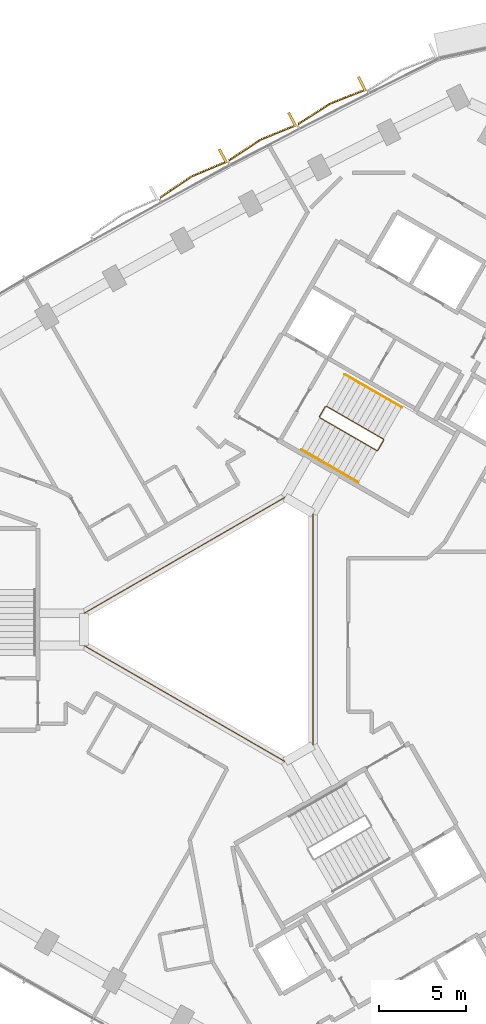
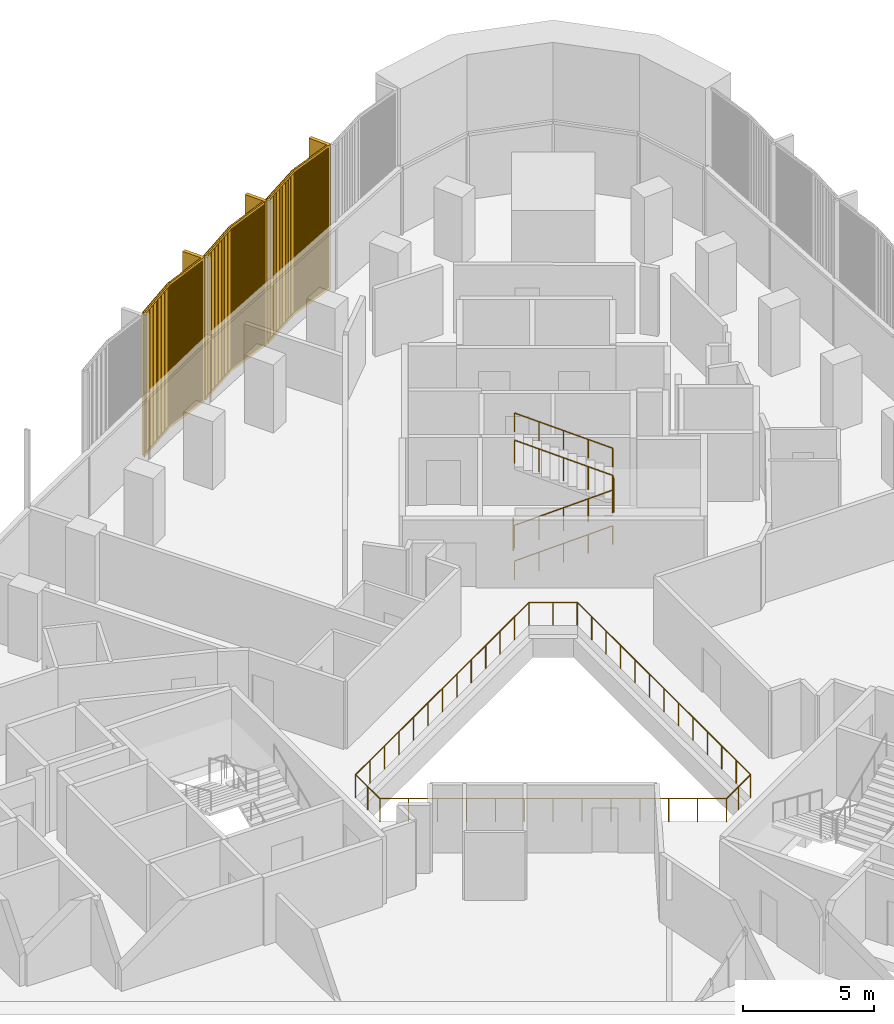
# One storey, part 14 of 15: 4 railings, 3 coverings.
"""IFC4 building model written with IfcOpenShell, lengths in metres."""

from ifc_helpers import new_model, si_unit, direction, frame, frame_2d, origin, origin_2d, place, context, subcontext, project, spatial, rectangle, circle, extrude, source, transform, mapped, material, type_object, element, save


model = new_model("IFC4")

# Units and contexts
model_context = context("Model", 3, precision=1e-05, world=origin(), true_north=direction((0.0, 1.0)))
body_context = subcontext(model_context, "Body", "Model", "MODEL_VIEW")
ifc_project = project(units=[si_unit("LENGTHUNIT", "METRE"), si_unit("AREAUNIT", "SQUARE_METRE"), si_unit("VOLUMEUNIT", "CUBIC_METRE"), si_unit("PLANEANGLEUNIT", "RADIAN"), si_unit("MASSUNIT", "GRAM", prefix="KILO")], contexts=[model_context])

# Site, building, storey
site_placement = place(None, origin())
site = spatial("IfcSite", under=ifc_project, at=site_placement, CompositionType="ELEMENT")
building_placement = place(site_placement, origin())
building = spatial("IfcBuilding", under=site, at=building_placement, Name="Tamra Quay Hotel Tower", CompositionType="ELEMENT")
storey_placement = place(building_placement, frame((0.0, 0.0, 101.0)))
storey = spatial("IfcBuildingStorey", under=building, at=storey_placement, Name="L24", CompositionType="ELEMENT", Elevation=101.0)

# Railings
ifc_material_1 = material(Name="Guard atrium edge 1100")
railing_type_1 = type_object("IfcRailingType", Name="Guard atrium edge 1100", PredefinedType="GUARDRAIL", material=ifc_material_1)
railing_1_placement = place(storey_placement, frame((4.89990234375, -6.639892578125, 0.0)))
element("IfcRailing", 1, at=railing_1_placement, inside=storey, type_object=railing_type_1, Name="G-A", PredefinedType="GUARDRAIL", context=body_context, shape_type="SweptSolid", body=[
    extrude(circle(Radius=0.02392578125, at=origin_2d()), frame((0.0, 0.0, 1.076171875), z_axis=(-0.866161379324, -0.499764409465, 0.0), x_axis=(0.499764409465, -0.866161379324, 0.0)), (0.0, 0.0, 1.0), 1.84716796875),
    extrude(circle(Radius=0.02392578125, at=origin_2d()), frame((-1.599853515625, -0.923095703125, 1.076171875), z_axis=(-0.866045362687, 0.499965428574, 0.0), x_axis=(-0.499965428574, -0.866045362687, 0.0)), (0.0, 0.0, 1.0), 13.27880859375),
    extrude(circle(Radius=0.02392578125, at=origin_2d()), frame((-13.099853515625, 5.7158203125, 1.076171875), z_axis=(0.0, 1.0, 0.0), x_axis=(-1.0, 0.0, 0.0)), (0.0, 0.0, 1.0), 1.84814453125),
    extrude(circle(Radius=0.02392578125, at=origin_2d()), frame((-13.099853515625, 7.56396484375, 1.076171875), z_axis=(0.866045362687, 0.499965428574, 0.0), x_axis=(-0.499965428574, 0.866045362687, 0.0)), (0.0, 0.0, 1.0), 13.27880859375),
    extrude(circle(Radius=0.02392578125, at=origin_2d()), frame((-1.599853515625, 14.202880859375, 1.076171875), z_axis=(0.866161379324, -0.499764409465, 0.0), x_axis=(0.499764409465, 0.866161379324, 0.0)), (0.0, 0.0, 1.0), 1.84716796875),
    extrude(circle(Radius=0.02392578125, at=origin_2d()), frame((0.0, 13.27978515625, 1.076171875), z_axis=(0.0, -1.0, 0.0), x_axis=(1.0, 0.0, 0.0)), (0.0, 0.0, 1.0), 13.27978515625),
    extrude(circle(Radius=0.02099609375, at=origin_2d()), origin(), (0.0, 0.0, 1.0), 1.052001953125),
    extrude(circle(Radius=0.02099609375, at=origin_2d()), frame((-0.7998046875, -0.46142578125, 0.0)), (0.0, 0.0, 1.0), 1.052001953125),
    extrude(circle(Radius=0.02099609375, at=origin_2d()), frame((-1.599853515625, -0.923095703125, 0.0)), (0.0, 0.0, 1.0), 1.052001953125),
    extrude(circle(Radius=0.02099609375, at=origin_2d()), frame((-2.55810546875, -0.369873046875, 0.0)), (0.0, 0.0, 1.0), 1.052001953125),
    extrude(circle(Radius=0.02099609375, at=origin_2d()), frame((-3.5166015625, 0.183349609375, 0.0)), (0.0, 0.0, 1.0), 1.052001953125),
    extrude(circle(Radius=0.02099609375, at=origin_2d()), frame((-4.474853515625, 0.736572265625, 0.0)), (0.0, 0.0, 1.0), 1.052001953125),
    extrude(circle(Radius=0.02099609375, at=origin_2d()), frame((-5.43310546875, 1.289794921875, 0.0)), (0.0, 0.0, 1.0), 1.052001953125),
    extrude(circle(Radius=0.02099609375, at=origin_2d()), frame((-6.3916015625, 1.843017578125, 0.0)), (0.0, 0.0, 1.0), 1.052001953125),
    extrude(circle(Radius=0.02099609375, at=origin_2d()), frame((-7.349853515625, 2.396484375, 0.0)), (0.0, 0.0, 1.0), 1.052001953125),
    extrude(circle(Radius=0.02099609375, at=origin_2d()), frame((-8.30810546875, 2.94970703125, 0.0)), (0.0, 0.0, 1.0), 1.052001953125),
    extrude(circle(Radius=0.02099609375, at=origin_2d()), frame((-9.2666015625, 3.5029296875, 0.0)), (0.0, 0.0, 1.0), 1.052001953125),
    extrude(circle(Radius=0.02099609375, at=origin_2d()), frame((-10.224853515625, 4.05615234375, 0.0)), (0.0, 0.0, 1.0), 1.052001953125),
    extrude(circle(Radius=0.02099609375, at=origin_2d()), frame((-11.18310546875, 4.609375, 0.0)), (0.0, 0.0, 1.0), 1.052001953125),
    extrude(circle(Radius=0.02099609375, at=origin_2d()), frame((-12.1416015625, 5.16259765625, 0.0)), (0.0, 0.0, 1.0), 1.052001953125),
    extrude(circle(Radius=0.02099609375, at=origin_2d()), frame((-13.099853515625, 5.7158203125, 0.0)), (0.0, 0.0, 1.0), 1.052001953125),
    extrude(circle(Radius=0.02099609375, at=origin_2d()), frame((-13.099853515625, 6.639892578125, 0.0)), (0.0, 0.0, 1.0), 1.052001953125),
    extrude(circle(Radius=0.02099609375, at=origin_2d()), frame((-13.099853515625, 7.56396484375, 0.0)), (0.0, 0.0, 1.0), 1.052001953125),
    extrude(circle(Radius=0.02099609375, at=origin_2d()), frame((-12.1416015625, 8.1171875, 0.0)), (0.0, 0.0, 1.0), 1.052001953125),
    extrude(circle(Radius=0.02099609375, at=origin_2d()), frame((-11.18310546875, 8.67041015625, 0.0)), (0.0, 0.0, 1.0), 1.052001953125),
    extrude(circle(Radius=0.02099609375, at=origin_2d()), frame((-10.224853515625, 9.2236328125, 0.0)), (0.0, 0.0, 1.0), 1.052001953125),
    extrude(circle(Radius=0.02099609375, at=origin_2d()), frame((-9.2666015625, 9.77685546875, 0.0)), (0.0, 0.0, 1.0), 1.052001953125),
    extrude(circle(Radius=0.02099609375, at=origin_2d()), frame((-8.30810546875, 10.330078125, 0.0)), (0.0, 0.0, 1.0), 1.052001953125),
    extrude(circle(Radius=0.02099609375, at=origin_2d()), frame((-7.349853515625, 10.88330078125, 0.0)), (0.0, 0.0, 1.0), 1.052001953125),
    extrude(circle(Radius=0.02099609375, at=origin_2d()), frame((-6.3916015625, 11.436767578125, 0.0)), (0.0, 0.0, 1.0), 1.052001953125),
    extrude(circle(Radius=0.02099609375, at=origin_2d()), frame((-5.43310546875, 11.989990234375, 0.0)), (0.0, 0.0, 1.0), 1.052001953125),
    extrude(circle(Radius=0.02099609375, at=origin_2d()), frame((-4.474853515625, 12.543212890625, 0.0)), (0.0, 0.0, 1.0), 1.052001953125),
    extrude(circle(Radius=0.02099609375, at=origin_2d()), frame((-3.5166015625, 13.096435546875, 0.0)), (0.0, 0.0, 1.0), 1.052001953125),
    extrude(circle(Radius=0.02099609375, at=origin_2d()), frame((-2.55810546875, 13.649658203125, 0.0)), (0.0, 0.0, 1.0), 1.052001953125),
    extrude(circle(Radius=0.02099609375, at=origin_2d()), frame((-1.599853515625, 14.202880859375, 0.0)), (0.0, 0.0, 1.0), 1.052001953125),
    extrude(circle(Radius=0.02099609375, at=origin_2d()), frame((-0.7998046875, 13.7412109375, 0.0)), (0.0, 0.0, 1.0), 1.052001953125),
    extrude(circle(Radius=0.02099609375, at=origin_2d()), frame((0.0, 13.27978515625, 0.0)), (0.0, 0.0, 1.0), 1.052001953125),
    extrude(circle(Radius=0.02099609375, at=origin_2d()), frame((0.0, 12.173095703125, 0.0)), (0.0, 0.0, 1.0), 1.052001953125),
    extrude(circle(Radius=0.02099609375, at=origin_2d()), frame((0.0, 11.06640625, 0.0)), (0.0, 0.0, 1.0), 1.052001953125),
    extrude(circle(Radius=0.02099609375, at=origin_2d()), frame((0.0, 9.9599609375, 0.0)), (0.0, 0.0, 1.0), 1.052001953125),
    extrude(circle(Radius=0.02099609375, at=origin_2d()), frame((0.0, 8.853271484375, 0.0)), (0.0, 0.0, 1.0), 1.052001953125),
    extrude(circle(Radius=0.02099609375, at=origin_2d()), frame((0.0, 7.74658203125, 0.0)), (0.0, 0.0, 1.0), 1.052001953125),
    extrude(circle(Radius=0.02099609375, at=origin_2d()), frame((0.0, 6.639892578125, 0.0)), (0.0, 0.0, 1.0), 1.052001953125),
    extrude(circle(Radius=0.02099609375, at=origin_2d()), frame((0.0, 5.533203125, 0.0)), (0.0, 0.0, 1.0), 1.052001953125),
    extrude(circle(Radius=0.02099609375, at=origin_2d()), frame((0.0, 4.426513671875, 0.0)), (0.0, 0.0, 1.0), 1.052001953125),
    extrude(circle(Radius=0.02099609375, at=origin_2d()), frame((0.0, 3.31982421875, 0.0)), (0.0, 0.0, 1.0), 1.052001953125),
    extrude(circle(Radius=0.02099609375, at=origin_2d()), frame((0.0, 2.21337890625, 0.0)), (0.0, 0.0, 1.0), 1.052001953125),
    extrude(circle(Radius=0.02099609375, at=origin_2d()), frame((0.0, 1.106689453125, 0.0)), (0.0, 0.0, 1.0), 1.052001953125),
])
ifc_material_2 = material(Name="Stair guard 1100")
railing_type_2 = type_object("IfcRailingType", Name="Stair guard 1100", PredefinedType="GUARDRAIL", material=ifc_material_2)
railing_2_placement = place(storey_placement, frame((5.595458984375, 12.751953125, 0.0)))
element("IfcRailing", 2, at=railing_2_placement, inside=storey, type_object=railing_type_2, Name="GR", PredefinedType="GUARDRAIL", context=body_context, shape_type="SweptSolid", body=[
    extrude(circle(Radius=0.02392578125, at=origin_2d()), frame((0.0, 0.0, 1.076171875), z_axis=(-0.499765215335, -0.866160914346, 0.0), x_axis=(0.866160914346, -0.499765215335, 0.0)), (0.0, 0.0, 1.0), 0.658935546875),
    extrude(circle(Radius=0.02392578125, at=origin_2d()), frame((-0.329345703125, -0.57080078125, 1.076171875), z_axis=(0.110525977783, -0.411156637351, 0.904839338113), x_axis=(0.965715946433, 0.259601060869, 0.0)), (0.0, 0.0, 1.0), 0.165771484375),
    extrude(circle(Radius=0.02392578125, at=origin_2d()), frame((-0.31103515625, -0.638916015625, 1.22607421875), z_axis=(0.79305953016, -0.457922937641, 0.401700342053), x_axis=(0.500040788363, 0.866001853331, 0.0)), (0.0, 0.0, 1.0), 4.10791015625),
    extrude(circle(Radius=0.02392578125, at=origin_2d()), frame((2.94677734375, -2.52001953125, 2.8759765625), z_axis=(0.965948051503, 0.258736085224, 0.0), x_axis=(-0.258736085224, 0.965948051503, 0.0)), (0.0, 0.0, 1.0), 0.07080078125),
    extrude(circle(Radius=0.02392578125, at=origin_2d()), frame((3.01513671875, -2.501708984375, 2.8759765625), z_axis=(0.500043078269, 0.866000531106, 0.0), x_axis=(-0.866000531106, 0.500043078269, 0.0)), (0.0, 0.0, 1.0), 0.6591796875),
    extrude(circle(Radius=0.02392578125, at=origin_2d()), frame((3.3447265625, -1.930908203125, 2.8759765625), z_axis=(-0.110525977783, 0.411156637351, 0.904839338113), x_axis=(-0.965715946433, -0.259601060869, 0.0)), (0.0, 0.0, 1.0), 0.165771484375),
    extrude(circle(Radius=0.02392578125, at=origin_2d()), frame((3.326416015625, -1.86279296875, 3.02587890625), z_axis=(-0.793081581205, 0.457901355053, 0.401681409319), x_axis=(-0.500012686397, -0.866018079166, 0.0)), (0.0, 0.0, 1.0), 4.108154296875),
    extrude(circle(Radius=0.02099609375, at=origin_2d()), origin(), (0.0, 0.0, 1.0), 1.052001953125),
    extrude(circle(Radius=0.02099609375, at=origin_2d()), frame((-0.329345703125, -0.57080078125, 0.0)), (0.0, 0.0, 1.0), 1.052001953125),
    extrude(circle(Radius=0.02099609375, at=origin_2d()), frame((-0.31103515625, -0.638916015625, 0.14990234375)), (0.0, 0.0, 1.0), 1.052001953125),
    extrude(circle(Radius=0.02099609375, at=origin_2d()), frame((0.50341796875, -1.109130859375, 0.5625)), (0.0, 0.0, 1.0), 1.052001953125),
    extrude(circle(Radius=0.02099609375, at=origin_2d()), frame((1.31787109375, -1.57958984375, 0.97509765625)), (0.0, 0.0, 1.0), 1.052001953125),
    extrude(circle(Radius=0.02099609375, at=origin_2d()), frame((2.13232421875, -2.0498046875, 1.387451171875)), (0.0, 0.0, 1.0), 1.052001953125),
    extrude(circle(Radius=0.02099609375, at=origin_2d()), frame((2.94677734375, -2.52001953125, 1.800048828125)), (0.0, 0.0, 1.0), 1.052001953125),
    extrude(circle(Radius=0.02099609375, at=origin_2d()), frame((3.01513671875, -2.501708984375, 1.800048828125)), (0.0, 0.0, 1.0), 1.052001953125),
    extrude(circle(Radius=0.02099609375, at=origin_2d()), frame((3.3447265625, -1.930908203125, 1.800048828125)), (0.0, 0.0, 1.0), 1.052001953125),
    extrude(circle(Radius=0.02099609375, at=origin_2d()), frame((3.326416015625, -1.86279296875, 1.949951171875)), (0.0, 0.0, 1.0), 1.052001953125),
    extrude(circle(Radius=0.02099609375, at=origin_2d()), frame((2.511962890625, -1.392578125, 2.362548828125)), (0.0, 0.0, 1.0), 1.052001953125),
    extrude(circle(Radius=0.02099609375, at=origin_2d()), frame((1.697265625, -0.92236328125, 2.77490234375)), (0.0, 0.0, 1.0), 1.052001953125),
    extrude(circle(Radius=0.02099609375, at=origin_2d()), frame((0.8828125, -0.451904296875, 3.1875)), (0.0, 0.0, 1.0), 1.052001953125),
    extrude(circle(Radius=0.02099609375, at=origin_2d()), frame((0.068359375, 0.018310546875, 3.60009765625)), (0.0, 0.0, 1.0), 1.052001953125),
])
ifc_material_3 = material(Name="Stair handrail 900")
railing_type_3 = type_object("IfcRailingType", Name="Stair handrail 900", PredefinedType="HANDRAIL", material=ifc_material_3)
railing_3_placement = place(storey_placement, frame((4.234375, 10.294189453125, 0.14990234375)))
element("IfcRailing", 3, at=railing_3_placement, inside=storey, type_object=railing_type_3, Name="HR", PredefinedType="HANDRAIL", context=body_context, shape_type="SweptSolid", body=[
    extrude(circle(Radius=0.02392578125, at=origin_2d()), frame((0.0, 0.0, 0.8759765625), z_axis=(0.793103162556, -0.457854384738, 0.401692339881), x_axis=(0.499964013922, 0.86604617936, 0.0)), (0.0, 0.0, 1.0), 4.10791015625),
    extrude(circle(Radius=0.02099609375, at=origin_2d()), origin(), (0.0, 0.0, 1.0), 0.851806640625),
    extrude(circle(Radius=0.02099609375, at=origin_2d()), frame((0.814453125, -0.47021484375, 0.41259765625)), (0.0, 0.0, 1.0), 0.851806640625),
    extrude(circle(Radius=0.02099609375, at=origin_2d()), frame((1.62890625, -0.9404296875, 0.8251953125)), (0.0, 0.0, 1.0), 0.851806640625),
    extrude(circle(Radius=0.02099609375, at=origin_2d()), frame((2.443603515625, -1.41064453125, 1.237548828125)), (0.0, 0.0, 1.0), 0.851806640625),
    extrude(circle(Radius=0.02099609375, at=origin_2d()), frame((3.258056640625, -1.880859375, 1.650146484375)), (0.0, 0.0, 1.0), 0.851806640625),
])
railing_4_placement = place(storey_placement, frame((9.971923828125, 12.7080078125, 1.949951171875)))
element("IfcRailing", 4, at=railing_4_placement, inside=storey, type_object=railing_type_3, Name="HR", PredefinedType="HANDRAIL", context=body_context, shape_type="SweptSolid", body=[
    extrude(circle(Radius=0.02392578125, at=origin_2d()), frame((0.0, 0.0, 0.8759765625), z_axis=(-0.793103162556, 0.457854384738, 0.401692339881), x_axis=(-0.499964013922, -0.86604617936, 0.0)), (0.0, 0.0, 1.0), 4.10791015625),
    extrude(circle(Radius=0.02099609375, at=origin_2d()), origin(), (0.0, 0.0, 1.0), 0.851806640625),
    extrude(circle(Radius=0.02099609375, at=origin_2d()), frame((-0.814453125, 0.47021484375, 0.41259765625)), (0.0, 0.0, 1.0), 0.851806640625),
    extrude(circle(Radius=0.02099609375, at=origin_2d()), frame((-1.62890625, 0.9404296875, 0.8251953125)), (0.0, 0.0, 1.0), 0.851806640625),
    extrude(circle(Radius=0.02099609375, at=origin_2d()), frame((-2.443603515625, 1.41064453125, 1.237548828125)), (0.0, 0.0, 1.0), 0.851806640625),
    extrude(circle(Radius=0.02099609375, at=origin_2d()), frame((-3.258056640625, 1.880859375, 1.650146484375)), (0.0, 0.0, 1.0), 0.851806640625),
])

# Coverings
ifc_material_4 = material(Name="Terracotta baguette extruded", Category="masonry")
covering_type = type_object("IfcCoveringType", Name="BAGUETTE SCREEN NW-V H6775", PredefinedType="USERDEFINED", material=ifc_material_4)
shared_shape = source(origin(), body_context, "Body", "SweptSolid", [
    extrude(rectangle(XDim=2.20263671875, YDim=0.06005859375, at=frame_2d((1.101318359375, 0.030029296875))), frame((-2.1982421875, -0.0576171875, -0.1201171875), z_axis=(0.0, 0.0, 1.0), x_axis=(0.995396198367, -0.09584575252, 0.0)), (0.0, 0.0, 1.0), 0.1201171875),
    extrude(rectangle(XDim=2.20263671875, YDim=0.06005859375, at=frame_2d((1.101318359375, 0.030029296875))), frame((-2.1982421875, -0.0576171875, -6.77490234375), z_axis=(0.0, 0.0, 1.0), x_axis=(0.995396198367, -0.09584575252, 0.0)), (0.0, 0.0, 1.0), 0.1201171875),
    extrude(rectangle(XDim=0.070068359375, YDim=0.10009765625, at=frame_2d((0.03515625, 0.050048828125))), frame((-2.177734375, -0.1328125, -6.715087890625)), (0.0, 0.0, 1.0), 6.655029296875),
    extrude(rectangle(XDim=0.070068359375, YDim=0.10009765625, at=frame_2d((0.03515625, 0.050048828125))), frame((-2.078125, -0.142333984375, -6.715087890625)), (0.0, 0.0, 1.0), 6.655029296875),
    extrude(rectangle(XDim=0.070068359375, YDim=0.10009765625, at=frame_2d((0.03515625, 0.050048828125))), frame((-1.978271484375, -0.152099609375, -6.715087890625)), (0.0, 0.0, 1.0), 6.655029296875),
    extrude(rectangle(XDim=0.070068359375, YDim=0.10009765625, at=frame_2d((0.03515625, 0.050048828125))), frame((-1.878662109375, -0.16162109375, -6.715087890625)), (0.0, 0.0, 1.0), 6.655029296875),
    extrude(rectangle(XDim=0.070068359375, YDim=0.10009765625, at=frame_2d((0.03515625, 0.050048828125))), frame((-1.779052734375, -0.171142578125, -6.715087890625)), (0.0, 0.0, 1.0), 6.655029296875),
    extrude(rectangle(XDim=0.070068359375, YDim=0.10009765625, at=frame_2d((0.03515625, 0.050048828125))), frame((-1.679443359375, -0.1806640625, -6.715087890625)), (0.0, 0.0, 1.0), 6.655029296875),
    extrude(rectangle(XDim=0.070068359375, YDim=0.10009765625, at=frame_2d((0.03515625, 0.050048828125))), frame((-1.579833984375, -0.1904296875, -6.715087890625)), (0.0, 0.0, 1.0), 6.655029296875),
    extrude(rectangle(XDim=0.070068359375, YDim=0.10009765625, at=frame_2d((0.03515625, 0.050048828125))), frame((-1.47998046875, -0.199951171875, -6.715087890625)), (0.0, 0.0, 1.0), 6.655029296875),
    extrude(rectangle(XDim=0.070068359375, YDim=0.10009765625, at=frame_2d((0.03515625, 0.050048828125))), frame((-1.38037109375, -0.20947265625, -6.715087890625)), (0.0, 0.0, 1.0), 6.655029296875),
    extrude(rectangle(XDim=0.070068359375, YDim=0.10009765625, at=frame_2d((0.03515625, 0.050048828125))), frame((-1.28076171875, -0.21923828125, -6.715087890625)), (0.0, 0.0, 1.0), 6.655029296875),
    extrude(rectangle(XDim=0.070068359375, YDim=0.10009765625, at=frame_2d((0.03515625, 0.050048828125))), frame((-1.18115234375, -0.228759765625, -6.715087890625)), (0.0, 0.0, 1.0), 6.655029296875),
    extrude(rectangle(XDim=0.070068359375, YDim=0.10009765625, at=frame_2d((0.03515625, 0.050048828125))), frame((-1.081298828125, -0.23828125, -6.715087890625)), (0.0, 0.0, 1.0), 6.655029296875),
    extrude(rectangle(XDim=0.070068359375, YDim=0.10009765625, at=frame_2d((0.03515625, 0.050048828125))), frame((-0.981689453125, -0.248046875, -6.715087890625)), (0.0, 0.0, 1.0), 6.655029296875),
    extrude(rectangle(XDim=0.070068359375, YDim=0.10009765625, at=frame_2d((0.03515625, 0.050048828125))), frame((-0.882080078125, -0.257568359375, -6.715087890625)), (0.0, 0.0, 1.0), 6.655029296875),
    extrude(rectangle(XDim=0.070068359375, YDim=0.10009765625, at=frame_2d((0.03515625, 0.050048828125))), frame((-0.782470703125, -0.26708984375, -6.715087890625)), (0.0, 0.0, 1.0), 6.655029296875),
    extrude(rectangle(XDim=0.070068359375, YDim=0.10009765625, at=frame_2d((0.03515625, 0.050048828125))), frame((-0.682861328125, -0.27685546875, -6.715087890625)), (0.0, 0.0, 1.0), 6.655029296875),
    extrude(rectangle(XDim=0.070068359375, YDim=0.10009765625, at=frame_2d((0.03515625, 0.050048828125))), frame((-0.583251953125, -0.286376953125, -6.715087890625)), (0.0, 0.0, 1.0), 6.655029296875),
    extrude(rectangle(XDim=0.070068359375, YDim=0.10009765625, at=frame_2d((0.03515625, 0.050048828125))), frame((-0.4833984375, -0.2958984375, -6.715087890625)), (0.0, 0.0, 1.0), 6.655029296875),
    extrude(rectangle(XDim=0.070068359375, YDim=0.10009765625, at=frame_2d((0.03515625, 0.050048828125))), frame((-0.3837890625, -0.305419921875, -6.715087890625)), (0.0, 0.0, 1.0), 6.655029296875),
    extrude(rectangle(XDim=0.070068359375, YDim=0.10009765625, at=frame_2d((0.03515625, 0.050048828125))), frame((-0.2841796875, -0.315185546875, -6.715087890625)), (0.0, 0.0, 1.0), 6.655029296875),
    extrude(rectangle(XDim=0.070068359375, YDim=0.10009765625, at=frame_2d((0.03515625, 0.050048828125))), frame((-0.1845703125, -0.32470703125, -6.715087890625)), (0.0, 0.0, 1.0), 6.655029296875),
    extrude(rectangle(XDim=0.070068359375, YDim=0.10009765625, at=frame_2d((0.03515625, 0.050048828125))), frame((-0.084716796875, -0.334228515625, -6.715087890625)), (0.0, 0.0, 1.0), 6.655029296875),
    extrude(rectangle(XDim=2.20263671875, YDim=0.06005859375, at=frame_2d((1.101318359375, 0.030029296875))), frame((0.005859375, -0.268798828125, -0.1201171875), z_axis=(0.0, 0.0, 1.0), x_axis=(0.995396198367, 0.09584575252, 0.0)), (0.0, 0.0, 1.0), 0.1201171875),
    extrude(rectangle(XDim=2.20263671875, YDim=0.06005859375, at=frame_2d((1.101318359375, 0.030029296875))), frame((0.005859375, -0.268798828125, -6.77490234375), z_axis=(0.0, 0.0, 1.0), x_axis=(0.995396198367, 0.09584575252, 0.0)), (0.0, 0.0, 1.0), 0.1201171875),
    extrude(rectangle(XDim=0.070068359375, YDim=0.10009765625, at=frame_2d((0.03515625, 0.050048828125))), frame((0.014892578125, -0.334228515625, -6.715087890625)), (0.0, 0.0, 1.0), 6.655029296875),
    extrude(rectangle(XDim=0.070068359375, YDim=0.10009765625, at=frame_2d((0.03515625, 0.050048828125))), frame((0.114501953125, -0.32470703125, -6.715087890625)), (0.0, 0.0, 1.0), 6.655029296875),
    extrude(rectangle(XDim=0.070068359375, YDim=0.10009765625, at=frame_2d((0.03515625, 0.050048828125))), frame((0.214111328125, -0.315185546875, -6.715087890625)), (0.0, 0.0, 1.0), 6.655029296875),
    extrude(rectangle(XDim=0.070068359375, YDim=0.10009765625, at=frame_2d((0.03515625, 0.050048828125))), frame((0.313720703125, -0.305419921875, -6.715087890625)), (0.0, 0.0, 1.0), 6.655029296875),
    extrude(rectangle(XDim=0.070068359375, YDim=0.10009765625, at=frame_2d((0.03515625, 0.050048828125))), frame((0.41357421875, -0.2958984375, -6.715087890625)), (0.0, 0.0, 1.0), 6.655029296875),
    extrude(rectangle(XDim=0.070068359375, YDim=0.10009765625, at=frame_2d((0.03515625, 0.050048828125))), frame((0.51318359375, -0.286376953125, -6.715087890625)), (0.0, 0.0, 1.0), 6.655029296875),
    extrude(rectangle(XDim=0.070068359375, YDim=0.10009765625, at=frame_2d((0.03515625, 0.050048828125))), frame((0.61279296875, -0.27685546875, -6.715087890625)), (0.0, 0.0, 1.0), 6.655029296875),
    extrude(rectangle(XDim=0.070068359375, YDim=0.10009765625, at=frame_2d((0.03515625, 0.050048828125))), frame((0.71240234375, -0.26708984375, -6.715087890625)), (0.0, 0.0, 1.0), 6.655029296875),
    extrude(rectangle(XDim=0.070068359375, YDim=0.10009765625, at=frame_2d((0.03515625, 0.050048828125))), frame((0.81201171875, -0.257568359375, -6.715087890625)), (0.0, 0.0, 1.0), 6.655029296875),
    extrude(rectangle(XDim=0.070068359375, YDim=0.10009765625, at=frame_2d((0.03515625, 0.050048828125))), frame((0.911865234375, -0.248046875, -6.715087890625)), (0.0, 0.0, 1.0), 6.655029296875),
    extrude(rectangle(XDim=0.070068359375, YDim=0.10009765625, at=frame_2d((0.03515625, 0.050048828125))), frame((1.011474609375, -0.23828125, -6.715087890625)), (0.0, 0.0, 1.0), 6.655029296875),
    extrude(rectangle(XDim=0.070068359375, YDim=0.10009765625, at=frame_2d((0.03515625, 0.050048828125))), frame((1.111083984375, -0.228759765625, -6.715087890625)), (0.0, 0.0, 1.0), 6.655029296875),
    extrude(rectangle(XDim=0.070068359375, YDim=0.10009765625, at=frame_2d((0.03515625, 0.050048828125))), frame((1.210693359375, -0.21923828125, -6.715087890625)), (0.0, 0.0, 1.0), 6.655029296875),
    extrude(rectangle(XDim=0.070068359375, YDim=0.10009765625, at=frame_2d((0.03515625, 0.050048828125))), frame((1.310302734375, -0.20947265625, -6.715087890625)), (0.0, 0.0, 1.0), 6.655029296875),
    extrude(rectangle(XDim=0.070068359375, YDim=0.10009765625, at=frame_2d((0.03515625, 0.050048828125))), frame((1.41015625, -0.199951171875, -6.715087890625)), (0.0, 0.0, 1.0), 6.655029296875),
    extrude(rectangle(XDim=0.070068359375, YDim=0.10009765625, at=frame_2d((0.03515625, 0.050048828125))), frame((1.509765625, -0.1904296875, -6.715087890625)), (0.0, 0.0, 1.0), 6.655029296875),
    extrude(rectangle(XDim=0.070068359375, YDim=0.10009765625, at=frame_2d((0.03515625, 0.050048828125))), frame((1.609375, -0.1806640625, -6.715087890625)), (0.0, 0.0, 1.0), 6.655029296875),
    extrude(rectangle(XDim=0.070068359375, YDim=0.10009765625, at=frame_2d((0.03515625, 0.050048828125))), frame((1.708984375, -0.171142578125, -6.715087890625)), (0.0, 0.0, 1.0), 6.655029296875),
    extrude(rectangle(XDim=0.070068359375, YDim=0.10009765625, at=frame_2d((0.03515625, 0.050048828125))), frame((1.80859375, -0.16162109375, -6.715087890625)), (0.0, 0.0, 1.0), 6.655029296875),
    extrude(rectangle(XDim=0.070068359375, YDim=0.10009765625, at=frame_2d((0.03515625, 0.050048828125))), frame((1.908447265625, -0.152099609375, -6.715087890625)), (0.0, 0.0, 1.0), 6.655029296875),
    extrude(rectangle(XDim=0.070068359375, YDim=0.10009765625, at=frame_2d((0.03515625, 0.050048828125))), frame((2.008056640625, -0.142333984375, -6.715087890625)), (0.0, 0.0, 1.0), 6.655029296875),
    extrude(rectangle(XDim=0.070068359375, YDim=0.10009765625, at=frame_2d((0.03515625, 0.050048828125))), frame((2.107666015625, -0.1328125, -6.715087890625)), (0.0, 0.0, 1.0), 6.655029296875),
    extrude(rectangle(XDim=0.14990234375, YDim=0.902099609375, at=frame_2d((0.074951171875, 0.451171875))), frame((-2.1923828125, -0.89990234375, -6.77490234375)), (0.0, 0.0, 1.0), 6.77490234375),
])
for number, where, z_axis, x_axis, name in (
    (5, (6.014892578125, 29.84521484375, 6.77490234375), (0.0, 0.0, 1.0), (-0.890544543472, -0.454896049765, 0.0), "Baguette screen L24.NW.f01"),
    (6, (2.041015625, 27.78662109375, 6.77490234375), (0.0, 0.0, 1.0), (-0.885306192952, -0.465008542631, 0.0), "Baguette screen L24.NW.f02"),
    (7, (-1.909423828125, 25.6826171875, 6.77490234375), (0.0, 0.0, 1.0), (-0.879945635118, -0.475074393371, 0.0), "Baguette screen L24.NW.f03"),
):
    element("IfcCovering", number, at=place(storey_placement, frame(where, z_axis=z_axis, x_axis=x_axis)), inside=storey, type_object=covering_type, Name=name, ObjectType="BAGUETTE SCREEN", PredefinedType="USERDEFINED", context=body_context, shape_type="MappedRepresentation", body=[
        mapped(shared_shape, transform((0.0, 0.0, 0.0), scale=1.0)),
    ])

save(model, "model.ifc")
